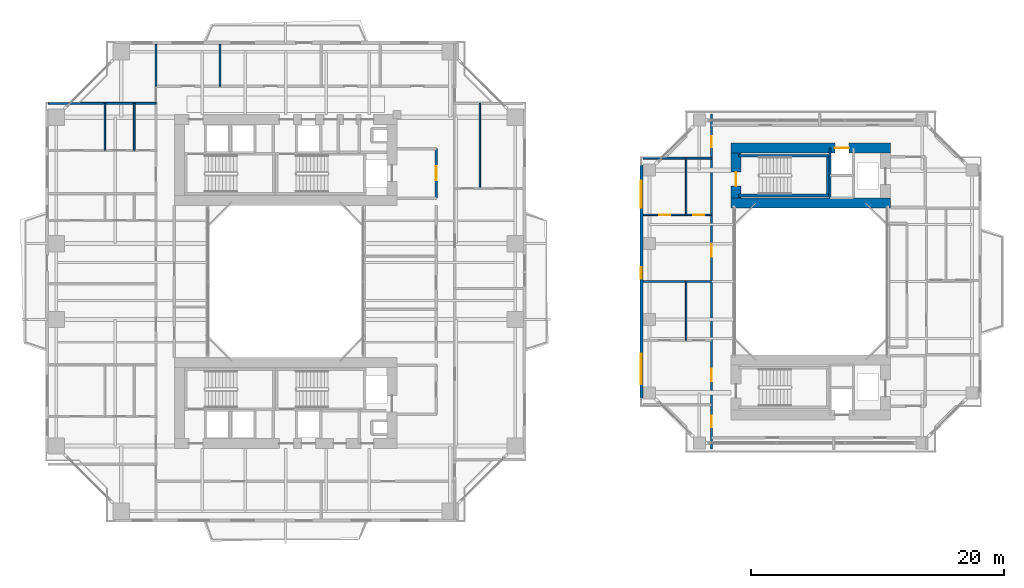
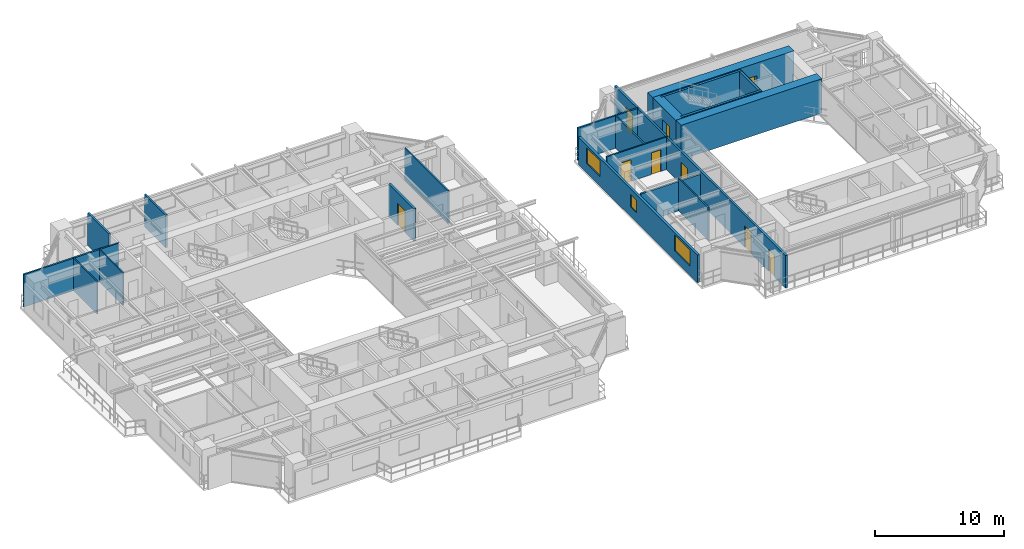
# One storey, part 16 of 23: 21 walls, 9 doors, 3 windows, 12 openings.
"""IFC4 building model written with IfcOpenShell, lengths in metres."""

import ifcopenshell
import ifcopenshell.guid

model = None  # the IFC model being written
_history = None  # IfcOwnerHistory: only IFC2X3 demands one
_inside = {}  # id of a spatial element -> (the spatial element, [elements in it])
_under = {}  # id of a project, library or spatial element -> (it, [spatial elements below it])
_declared = {}  # id of a project -> (the project, [libraries it declares])
_typed = {}  # id of a type object -> (the type object, [elements of that type])
_made_of = {}  # id of a material, layer set ... -> (it, [elements and type objects made of it])


def new_model(schema):
    """Start an empty IFC model of exactly this schema.

    Asked for "IFC4X3", IfcOpenShell would pick the latest addendum, in which some entities
    have other attributes; the version numbers below select the first issue.
    IFC2X3 requires an IfcOwnerHistory on every rooted entity: one is made here for all.
    """
    global model, _history
    if schema == "IFC4X3":
        model = ifcopenshell.file(schema_version=(4, 3, 0, 0))
    else:
        model = ifcopenshell.file(schema=schema)
    _inside.clear()
    _under.clear()
    _declared.clear()
    _typed.clear()
    _made_of.clear()
    _history = None
    if model.schema == "IFC2X3":
        org = make("IfcOrganization", Name="unknown")
        user = make(
            "IfcPersonAndOrganization",
            ThePerson=make("IfcPerson", FamilyName="unknown"),
            TheOrganization=org,
        )
        app = make(
            "IfcApplication",
            ApplicationDeveloper=org,
            Version="unknown",
            ApplicationFullName="unknown",
            ApplicationIdentifier="unknown",
        )
        _history = make(
            "IfcOwnerHistory",
            OwningUser=user,
            OwningApplication=app,
            ChangeAction="ADDED",
            CreationDate=0,
        )
    return model


def make(cls, **values):
    """One entity of the class cls with the attributes given. An attribute that is None is left unset."""
    return model.create_entity(
        cls, **{name: value for name, value in values.items() if value is not None}
    )


def rooted(cls, **values):
    """An entity with a GlobalId (a new one), such as an element, a storey or a relation."""
    return make(cls, GlobalId=ifcopenshell.guid.new(), OwnerHistory=_history, **values)


def si_unit(unit_type, name, prefix=None):
    """IfcSIUnit, for example si_unit("LENGTHUNIT", "METRE", prefix="MILLI")."""
    return make("IfcSIUnit", UnitType=unit_type, Prefix=prefix, Name=name)


def assignment(units):
    """IfcUnitAssignment: the units of a project."""
    return None if units is None else make("IfcUnitAssignment", Units=units)


def point(xyz):
    """IfcCartesianPoint."""
    return None if xyz is None else make("IfcCartesianPoint", Coordinates=xyz)


def direction(xyz):
    """IfcDirection."""
    return None if xyz is None else make("IfcDirection", DirectionRatios=xyz)


def frame(location, z_axis=None, x_axis=None):
    """IfcAxis2Placement3D, a coordinate frame: its origin and axes. An axis left out is left unset."""
    return make(
        "IfcAxis2Placement3D",
        Location=point(location),
        Axis=direction(z_axis),
        RefDirection=direction(x_axis),
    )


def frame_2d(location, x_axis=None):
    """IfcAxis2Placement2D, a coordinate frame in the plane: its origin and x axis."""
    return make(
        "IfcAxis2Placement2D", Location=point(location), RefDirection=direction(x_axis)
    )


def origin():
    """The frame at (0, 0, 0) with its axes left unset."""
    return frame((0.0, 0.0, 0.0))


def place(relative_to, where):
    """IfcLocalPlacement: puts the frame where relative to a parent placement (None: the world)."""
    return make(
        "IfcLocalPlacement", PlacementRelTo=relative_to, RelativePlacement=where
    )


def context(
    kind, dimensions, precision=None, world=None, true_north=None, identifier=None
):
    """IfcGeometricRepresentationContext, for example the 3D "Model" context."""
    return make(
        "IfcGeometricRepresentationContext",
        ContextIdentifier=identifier,
        ContextType=kind,
        CoordinateSpaceDimension=dimensions,
        Precision=precision,
        WorldCoordinateSystem=world,
        TrueNorth=true_north,
    )


def subcontext(parent, identifier, kind, view, scale=None):
    """IfcGeometricRepresentationSubContext, for example "Body" below "Model"."""
    return make(
        "IfcGeometricRepresentationSubContext",
        ContextIdentifier=identifier,
        ContextType=kind,
        ParentContext=parent,
        TargetScale=scale,
        TargetView=view,
    )


def project(units=None, contexts=None):
    """IfcProject with its units and contexts."""
    return rooted(
        "IfcProject",
        Name="project",
        RepresentationContexts=contexts,
        UnitsInContext=assignment(units),
    )


def spatial(cls, under=None, at=None, **own):
    """A site, building, storey or space (cls), placed at a placement, below another one or the project."""
    s = rooted(cls, ObjectPlacement=at, **own)
    if under is not None:
        _under.setdefault(under.id(), (under, []))[1].append(s)
    return s


def profile(cls, at=None, kind="AREA", **sizes):
    """A parametric profile (cls). Its sizes go by their IFC names, for example OverallWidth=200.0."""
    return make(cls, ProfileType=kind, Position=at, **sizes)


def rectangle(**sizes):
    """IfcRectangleProfileDef."""
    return profile("IfcRectangleProfileDef", **sizes)


def extrude(swept, where, along, depth):
    """IfcExtrudedAreaSolid: the profile swept, set in the frame where, extruded along a direction by depth."""
    return make(
        "IfcExtrudedAreaSolid",
        SweptArea=swept,
        Position=where,
        ExtrudedDirection=direction(along),
        Depth=depth,
    )


def shape(context_of_items, identifier, shape_type, items):
    """IfcShapeRepresentation: the items that make up one representation, for example the "Body"."""
    return make(
        "IfcShapeRepresentation",
        ContextOfItems=context_of_items,
        RepresentationIdentifier=identifier,
        RepresentationType=shape_type,
        Items=items,
    )


def source(mapping_origin, context_of_items, identifier, shape_type, items):
    """IfcRepresentationMap: a shape defined once, which mapped items show again and again."""
    return make(
        "IfcRepresentationMap",
        MappingOrigin=mapping_origin,
        MappedRepresentation=shape(context_of_items, identifier, shape_type, items),
    )


def transform(
    local_origin,
    x_axis=None,
    y_axis=None,
    z_axis=None,
    scale=None,
    scale2=None,
    scale3=None,
    uniform=True,
):
    """IfcCartesianTransformationOperator3D, or its non-uniform kind. x_axis, y_axis, z_axis: its Axis1, 2, 3."""
    if uniform:
        return make(
            "IfcCartesianTransformationOperator3D",
            Axis1=direction(x_axis),
            Axis2=direction(y_axis),
            LocalOrigin=point(local_origin),
            Scale=scale,
            Axis3=direction(z_axis),
        )
    return make(
        "IfcCartesianTransformationOperator3DnonUniform",
        Axis1=direction(x_axis),
        Axis2=direction(y_axis),
        LocalOrigin=point(local_origin),
        Scale=scale,
        Axis3=direction(z_axis),
        Scale2=scale2,
        Scale3=scale3,
    )


def mapped(mapping_source, mapping_target):
    """IfcMappedItem: shows the shape of a source again, moved by a transform."""
    return make(
        "IfcMappedItem", MappingSource=mapping_source, MappingTarget=mapping_target
    )


def material(Name=None, Category=None):
    """IfcMaterial."""
    return make("IfcMaterial", Name=Name, Category=Category)


def layer(
    of_material, thickness, ventilated=None, Name=None, Category=None, Priority=None
):
    """IfcMaterialLayer: one layer of a wall or slab, of a material (None: an air gap)."""
    return make(
        "IfcMaterialLayer",
        Material=of_material,
        LayerThickness=thickness,
        IsVentilated=ventilated,
        Name=Name,
        Category=Category,
        Priority=Priority,
    )


def layer_set(layers, Name=None):
    """IfcMaterialLayerSet."""
    return make("IfcMaterialLayerSet", MaterialLayers=layers, LayerSetName=Name)


def made_of(thing, what):
    """Note that an element or type object is made of a material, layer set ...; save() writes the relation."""
    if what is not None:
        _made_of.setdefault(what.id(), (what, []))[1].append(thing)
    return thing


def type_object(cls, material=None, **own):
    """A type object (cls), such as IfcWallType, which elements share."""
    return made_of(rooted(cls, **own), material)


def element(
    cls,
    number,
    at=None,
    inside=None,
    cuts=None,
    type_object=None,
    material=None,
    context=None,
    identifier="Body",
    shape_type=None,
    held_by="IfcProductDefinitionShape",
    body=None,
    shapes=None,
    **own,
):
    """One element of the class cls, such as IfcWall. Its Tag is "e" and its number.

    at: its placement. inside: the storey or other place that contains it. cuts: it is an
    opening in that element (IfcRelVoidsElement). A single representation is given by context,
    identifier, shape_type and body (its items); several are given by shapes. held_by: the class
    of the entity that holds the representations. save() writes the other relations.
    """
    e = rooted(cls, Tag="e%d" % number, ObjectPlacement=at, **own)
    if body is not None:
        shapes = [shape(context, identifier, shape_type, body)]
    if shapes is not None:
        e.Representation = make(held_by, Representations=shapes)
    if inside is not None:
        _inside.setdefault(inside.id(), (inside, []))[1].append(e)
    if cuts is not None:
        rooted(
            "IfcRelVoidsElement", RelatingBuildingElement=cuts, RelatedOpeningElement=e
        )
    if type_object is not None:
        _typed.setdefault(type_object.id(), (type_object, []))[1].append(e)
    return made_of(e, material)


def fill(opening, filler):
    """IfcRelFillsElement: the door or window that sits in an opening."""
    return rooted(
        "IfcRelFillsElement",
        RelatingOpeningElement=opening,
        RelatedBuildingElement=filler,
    )


def aggregate(whole, parts):
    """IfcRelAggregates: a whole, such as a stair, and the parts it consists of."""
    return rooted("IfcRelAggregates", RelatingObject=whole, RelatedObjects=parts)


def save(model, path):
    """Write the relations noted so far, then the file.

    IfcRelAggregates (storeys below a building ...), IfcRelContainedInSpatialStructure (elements
    in a storey), IfcRelDefinesByType, IfcRelAssociatesMaterial and IfcRelDeclares: one each for
    every whole, place, type object, material and project.
    """
    for whole, parts in _under.values():
        aggregate(whole, parts)
    for where, things in _inside.values():
        rooted(
            "IfcRelContainedInSpatialStructure",
            RelatedElements=things,
            RelatingStructure=where,
        )
    for kind, things in _typed.values():
        rooted("IfcRelDefinesByType", RelatedObjects=things, RelatingType=kind)
    for what, things in _made_of.values():
        rooted("IfcRelAssociatesMaterial", RelatedObjects=things, RelatingMaterial=what)
    for by, libraries in _declared.values():
        rooted("IfcRelDeclares", RelatingContext=by, RelatedDefinitions=libraries)
    model.write(path)


model = new_model("IFC4")

# Units and contexts
model_context = context("Model", 3, precision=1e-05, world=origin(), true_north=direction((0.0, 1.0)))
body_context = subcontext(model_context, "Body", "Model", "MODEL_VIEW")
ifc_project = project(units=[si_unit("LENGTHUNIT", "METRE"), si_unit("AREAUNIT", "SQUARE_METRE"), si_unit("VOLUMEUNIT", "CUBIC_METRE"), si_unit("PLANEANGLEUNIT", "RADIAN"), si_unit("MASSUNIT", "GRAM", prefix="KILO"), si_unit("THERMODYNAMICTEMPERATUREUNIT", "KELVIN"), si_unit("POWERUNIT", "WATT")], contexts=[model_context])

# Site, building, storey
site_placement = place(None, origin())
site = spatial("IfcSite", under=ifc_project, at=site_placement, CompositionType="ELEMENT")
building_placement = place(site_placement, origin())
building = spatial("IfcBuilding", under=site, at=building_placement, Name="Qiaomeng Ring Towers", CompositionType="ELEMENT")
storey_placement = place(building_placement, frame((0.0, 0.0, 60.0)))
storey = spatial("IfcBuildingStorey", under=building, at=storey_placement, Name="L16", CompositionType="ELEMENT", Elevation=60.0)

# Wall, openings, windows
ifc_material_1 = material(Name="Precast concrete C40", Category="concrete")
ifc_layer_1 = layer(ifc_material_1, 0.219970703125, Name="Precast concrete C40")
ifc_layer_set_1 = layer_set([ifc_layer_1], Name="Precast concrete C40")
wall_type_1 = type_object("IfcWallType", Name="ARC-WL-EW2", PredefinedType="STANDARD", material=ifc_layer_set_1)
wall_1_placement = place(storey_placement, frame((47.110107421875, 13.800048828125, 0.0), z_axis=(0.0, 0.0, 1.0), x_axis=(0.0, 1.0, 0.0)))
wall_1 = element("IfcWall", 1, at=wall_1_placement, inside=storey, type_object=wall_type_1, Name="L16 Companion West Wall", PredefinedType="STANDARD", context=body_context, shape_type="SweptSolid", body=[
    extrude(rectangle(XDim=18.39990234375, YDim=0.219970703125, at=frame_2d((9.199951171875, 0.0))), origin(), (0.0, 0.0, 1.0), 2.610107421875),
])
opening_1_placement = place(wall_1_placement, frame((1.10009765625, 0.0, 0.89990234375)))
opening_1 = element("IfcOpeningElement", 2, at=opening_1_placement, cuts=wall_1, Name="Opening WN6", PredefinedType="OPENING", context=body_context, shape_type="SweptSolid", body=[
    extrude(rectangle(XDim=2.39990234375, YDim=1.47998046875, at=frame_2d((1.199951171875, 0.739990234375))), frame((0.0, 0.119873046875, 0.0), z_axis=(0.0, -1.0, 0.0), x_axis=(1.0, 0.0, 0.0)), (0.0, 0.0, 1.0), 0.239990234375),
])
opening_2_placement = place(wall_1_placement, frame((15.050048828125, 0.0, 0.89990234375)))
opening_2 = element("IfcOpeningElement", 3, at=opening_2_placement, cuts=wall_1, Name="Opening WN4", PredefinedType="OPENING", context=body_context, shape_type="SweptSolid", body=[
    extrude(rectangle(XDim=2.10009765625, YDim=1.47998046875, at=frame_2d((1.050048828125, 0.739990234375))), frame((0.0, 0.119873046875, 0.0), z_axis=(0.0, -1.0, 0.0), x_axis=(1.0, 0.0, 0.0)), (0.0, 0.0, 1.0), 0.239990234375),
])
opening_3_placement = place(wall_1_placement, frame((9.43505859375, 0.0, 0.89990234375)))
opening_3 = element("IfcOpeningElement", 4, at=opening_3_placement, cuts=wall_1, Name="Opening WN5", PredefinedType="OPENING", context=body_context, shape_type="SweptSolid", body=[
    extrude(rectangle(XDim=0.89990234375, YDim=1.199951171875, at=frame_2d((0.449951171875, 0.60009765625))), frame((0.0, 0.119873046875, 0.0), z_axis=(0.0, -1.0, 0.0), x_axis=(1.0, 0.0, 0.0)), (0.0, 0.0, 1.0), 0.239990234375),
])
ifc_material_2 = material(Name="Low-E dark-grey laminated double glazing", Category="glass")
window_type_1 = type_object("IfcWindowType", Name="ARC-WN-4", PartitioningType="TRIPLE_PANEL_VERTICAL", PredefinedType="WINDOW", material=ifc_material_2)
shared_shape_1 = source(origin(), body_context, "Body", "SweptSolid", [
    extrude(rectangle(XDim=2.10009765625, YDim=1.47998046875, at=frame_2d((1.050048828125, 0.739990234375))), frame((0.0, 0.030029296875, 0.0), z_axis=(0.0, -1.0, 0.0), x_axis=(1.0, 0.0, 0.0)), (0.0, 0.0, 1.0), 0.06005859375),
])
window_1_placement = place(opening_2_placement, origin())
window_1 = element("IfcWindow", 5, at=window_1_placement, inside=storey, type_object=window_type_1, Name="L16 Exterior Window WN4", OverallHeight=1.47998046875, OverallWidth=2.10009765625, PartitioningType="TRIPLE_PANEL_VERTICAL", PredefinedType="WINDOW", context=body_context, shape_type="MappedRepresentation", body=[
    mapped(shared_shape_1, transform((0.0, 0.0, 0.0), x_axis=(1.0, 0.0, 0.0), y_axis=(0.0, 1.0, 0.0), z_axis=(0.0, 0.0, 1.0), scale=1.0)),
])
fill(opening_2, window_1)
window_type_2 = type_object("IfcWindowType", Name="ARC-WN-6", PartitioningType="TRIPLE_PANEL_VERTICAL", PredefinedType="WINDOW", material=ifc_material_2)
shared_shape_2 = source(origin(), body_context, "Body", "SweptSolid", [
    extrude(rectangle(XDim=2.39990234375, YDim=1.47998046875, at=frame_2d((1.199951171875, 0.739990234375))), frame((0.0, 0.030029296875, 0.0), z_axis=(0.0, -1.0, 0.0), x_axis=(1.0, 0.0, 0.0)), (0.0, 0.0, 1.0), 0.06005859375),
])
window_2_placement = place(opening_1_placement, origin())
window_2 = element("IfcWindow", 6, at=window_2_placement, inside=storey, type_object=window_type_2, Name="L16 Exterior Window WN6", OverallHeight=1.47998046875, OverallWidth=2.39990234375, PartitioningType="TRIPLE_PANEL_VERTICAL", PredefinedType="WINDOW", context=body_context, shape_type="MappedRepresentation", body=[
    mapped(shared_shape_2, transform((0.0, 0.0, 0.0), x_axis=(1.0, 0.0, 0.0), y_axis=(0.0, 1.0, 0.0), z_axis=(0.0, 0.0, 1.0), scale=1.0)),
])
fill(opening_1, window_2)
window_type_3 = type_object("IfcWindowType", Name="ARC-WN-5", PartitioningType="SINGLE_PANEL", PredefinedType="WINDOW", material=ifc_material_2)
shared_shape_3 = source(origin(), body_context, "Body", "SweptSolid", [
    extrude(rectangle(XDim=0.89990234375, YDim=1.199951171875, at=frame_2d((0.449951171875, 0.60009765625))), frame((0.0, 0.030029296875, 0.0), z_axis=(0.0, -1.0, 0.0), x_axis=(1.0, 0.0, 0.0)), (0.0, 0.0, 1.0), 0.06005859375),
])
window_3_placement = place(opening_3_placement, origin())
window_3 = element("IfcWindow", 7, at=window_3_placement, inside=storey, type_object=window_type_3, Name="L16 Exterior Window WN5", OverallHeight=1.199951171875, OverallWidth=0.89990234375, PartitioningType="SINGLE_PANEL", PredefinedType="WINDOW", context=body_context, shape_type="MappedRepresentation", body=[
    mapped(shared_shape_3, transform((0.0, 0.0, 0.0), x_axis=(1.0, 0.0, 0.0), y_axis=(0.0, 1.0, 0.0), z_axis=(0.0, 0.0, 1.0), scale=1.0)),
])
fill(opening_3, window_3)

# Wall, opening, door
ifc_material_3 = material(Name="Autoclaved aerated concrete block", Category="concrete")
ifc_layer_2 = layer(ifc_material_3, 0.199951171875, Name="Autoclaved aerated concrete block")
ifc_layer_set_2 = layer_set([ifc_layer_2], Name="Autoclaved aerated concrete block")
wall_type_2 = type_object("IfcWallType", Name="ARC-WL-PW1", PredefinedType="PARTITIONING", material=ifc_layer_set_2)
wall_2_placement = place(storey_placement, frame((30.89990234375, 29.60009765625, 0.0), z_axis=(0.0, 0.0, 1.0), x_axis=(0.0, 1.0, 0.0)))
wall_2 = element("IfcWall", 8, at=wall_2_placement, inside=storey, type_object=wall_type_2, Name="L16 Interior Wall PW1", PredefinedType="PARTITIONING", context=body_context, shape_type="SweptSolid", body=[
    extrude(rectangle(XDim=3.89990234375, YDim=0.199951171875, at=frame_2d((1.949951171875, 0.0))), origin(), (0.0, 0.0, 1.0), 3.070068359375),
])
opening_4_placement = place(wall_2_placement, frame((1.39990234375, 0.0, 0.0)))
opening_4 = element("IfcOpeningElement", 9, at=opening_4_placement, cuts=wall_2, Name="Opening FD3", PredefinedType="OPENING", context=body_context, shape_type="SweptSolid", body=[
    extrude(rectangle(XDim=1.10009765625, YDim=2.050048828125, at=frame_2d((0.550048828125, 1.02490234375))), frame((0.0, 0.10986328125, 0.0), z_axis=(0.0, -1.0, 0.0), x_axis=(1.0, 0.0, 0.0)), (0.0, 0.0, 1.0), 0.219970703125),
])
ifc_material_4 = material(Name="Galvanised steel", Category="steel")
door_type_1 = type_object("IfcDoorType", Name="ARC-DR-FD3", OperationType="NOTDEFINED", PredefinedType="DOOR", material=ifc_material_4)
shared_shape_4 = source(origin(), body_context, "Body", "SweptSolid", [
    extrude(rectangle(XDim=1.10009765625, YDim=2.050048828125, at=frame_2d((0.550048828125, 1.02490234375))), frame((0.0, 0.02490234375, 0.0), z_axis=(0.0, -1.0, 0.0), x_axis=(1.0, 0.0, 0.0)), (0.0, 0.0, 1.0), 0.050048828125),
])
door_1_placement = place(opening_4_placement, origin())
door_1 = element("IfcDoor", 10, at=door_1_placement, inside=storey, type_object=door_type_1, Name="L16 North FF Lobby Door", OperationType="SINGLE_SWING_RIGHT", OverallHeight=2.050048828125, OverallWidth=1.10009765625, PredefinedType="DOOR", context=body_context, shape_type="MappedRepresentation", body=[
    mapped(shared_shape_4, transform((0.0, 0.0, 0.0), x_axis=(1.0, 0.0, 0.0), y_axis=(0.0, 1.0, 0.0), z_axis=(0.0, 0.0, 1.0), scale=1.0)),
])
fill(opening_4, door_1)

# Wall, openings, doors
ifc_layer_3 = layer(ifc_material_3, 0.179931640625, Name="Autoclaved aerated concrete block")
ifc_layer_set_3 = layer_set([ifc_layer_3], Name="Autoclaved aerated concrete block")
wall_type_3 = type_object("IfcWallType", Name="ARC-WL-PW2", PredefinedType="PARTITIONING", material=ifc_layer_set_3)
wall_3_placement = place(storey_placement, frame((52.64990234375, 9.75, 0.0), z_axis=(0.0, 0.0, 1.0), x_axis=(0.0, 1.0, 0.0)))
wall_3 = element("IfcWall", 11, at=wall_3_placement, inside=storey, type_object=wall_type_3, Name="L16 Interior Wall PW2", PredefinedType="PARTITIONING", context=body_context, shape_type="SweptSolid", body=[
    extrude(rectangle(XDim=26.5, YDim=0.179931640625, at=frame_2d((13.25, 0.0))), origin(), (0.0, 0.0, 1.0), 3.070068359375),
])
opening_5_placement = place(wall_3_placement, frame((23.85009765625, 0.0, 0.0)))
opening_5 = element("IfcOpeningElement", 12, at=opening_5_placement, cuts=wall_3, Name="Opening ID1", PredefinedType="OPENING", context=body_context, shape_type="SweptSolid", body=[
    extrude(rectangle(XDim=0.89990234375, YDim=2.050048828125, at=frame_2d((0.449951171875, 1.02490234375))), frame((0.0, 0.099853515625, 0.0), z_axis=(0.0, -1.0, 0.0), x_axis=(1.0, 0.0, 0.0)), (0.0, 0.0, 1.0), 0.199951171875),
])
opening_6_placement = place(wall_3_placement, frame((1.75, 0.0, 0.0)))
opening_6 = element("IfcOpeningElement", 13, at=opening_6_placement, cuts=wall_3, Name="Opening ID1", PredefinedType="OPENING", context=body_context, shape_type="SweptSolid", body=[
    extrude(rectangle(XDim=0.89990234375, YDim=2.050048828125, at=frame_2d((0.449951171875, 1.02490234375))), frame((0.0, 0.099853515625, 0.0), z_axis=(0.0, -1.0, 0.0), x_axis=(1.0, 0.0, 0.0)), (0.0, 0.0, 1.0), 0.199951171875),
])
opening_7_placement = place(wall_3_placement, frame((5.35498046875, 0.0, 0.0)))
opening_7 = element("IfcOpeningElement", 14, at=opening_7_placement, cuts=wall_3, Name="Opening FD4", PredefinedType="OPENING", context=body_context, shape_type="SweptSolid", body=[
    extrude(rectangle(XDim=1.0, YDim=2.050048828125, at=frame_2d((0.5, 1.02490234375))), frame((0.0, 0.099853515625, 0.0), z_axis=(0.0, -1.0, 0.0), x_axis=(1.0, 0.0, 0.0)), (0.0, 0.0, 1.0), 0.199951171875),
])
opening_8_placement = place(wall_3_placement, frame((15.195068359375, 0.0, 0.0)))
opening_8 = element("IfcOpeningElement", 15, at=opening_8_placement, cuts=wall_3, Name="Opening FD4", PredefinedType="OPENING", context=body_context, shape_type="SweptSolid", body=[
    extrude(rectangle(XDim=1.0, YDim=2.050048828125, at=frame_2d((0.5, 1.02490234375))), frame((0.0, 0.099853515625, 0.0), z_axis=(0.0, -1.0, 0.0), x_axis=(1.0, 0.0, 0.0)), (0.0, 0.0, 1.0), 0.199951171875),
])
ifc_material_5 = material(Name="Engineered fire-rated oak timber", Category="wood")
door_type_2 = type_object("IfcDoorType", Name="ARC-DR-FD4", OperationType="NOTDEFINED", PredefinedType="DOOR", material=ifc_material_5)
shared_shape_5 = source(origin(), body_context, "Body", "SweptSolid", [
    extrude(rectangle(XDim=1.0, YDim=2.050048828125, at=frame_2d((0.5, 1.02490234375))), frame((0.0, 0.02490234375, 0.0), z_axis=(0.0, -1.0, 0.0), x_axis=(1.0, 0.0, 0.0)), (0.0, 0.0, 1.0), 0.050048828125),
])
door_2_placement = place(opening_7_placement, origin())
door_2 = element("IfcDoor", 16, at=door_2_placement, inside=storey, type_object=door_type_2, Name="L16 Door FD4", OperationType="SINGLE_SWING_LEFT", OverallHeight=2.050048828125, OverallWidth=1.0, PredefinedType="DOOR", context=body_context, shape_type="MappedRepresentation", body=[
    mapped(shared_shape_5, transform((0.0, 0.0, 0.0), x_axis=(1.0, 0.0, 0.0), y_axis=(0.0, 1.0, 0.0), z_axis=(0.0, 0.0, 1.0), scale=1.0)),
])
fill(opening_7, door_2)
door_3_placement = place(opening_8_placement, origin())
door_3 = element("IfcDoor", 17, at=door_3_placement, inside=storey, type_object=door_type_2, Name="L16 Door FD4", OperationType="SINGLE_SWING_RIGHT", OverallHeight=2.050048828125, OverallWidth=1.0, PredefinedType="DOOR", context=body_context, shape_type="MappedRepresentation", body=[
    mapped(shared_shape_5, transform((0.0, 0.0, 0.0), x_axis=(1.0, 0.0, 0.0), y_axis=(0.0, 1.0, 0.0), z_axis=(0.0, 0.0, 1.0), scale=1.0)),
])
fill(opening_8, door_3)
ifc_material_6 = material(Name="Engineered oak timber", Category="wood")
door_type_3 = type_object("IfcDoorType", Name="ARC-DR-ID1", OperationType="NOTDEFINED", PredefinedType="DOOR", material=ifc_material_6)
shared_shape_6 = source(origin(), body_context, "Body", "SweptSolid", [
    extrude(rectangle(XDim=0.89990234375, YDim=2.050048828125, at=frame_2d((0.449951171875, 1.02490234375))), frame((0.0, 0.02490234375, 0.0), z_axis=(0.0, -1.0, 0.0), x_axis=(1.0, 0.0, 0.0)), (0.0, 0.0, 1.0), 0.050048828125),
])
door_4_placement = place(opening_5_placement, origin())
door_4 = element("IfcDoor", 18, at=door_4_placement, inside=storey, type_object=door_type_3, Name="L16 Door ID1", OperationType="SINGLE_SWING_LEFT", OverallHeight=2.050048828125, OverallWidth=0.89990234375, PredefinedType="DOOR", context=body_context, shape_type="MappedRepresentation", body=[
    mapped(shared_shape_6, transform((0.0, 0.0, 0.0), x_axis=(1.0, 0.0, 0.0), y_axis=(0.0, 1.0, 0.0), z_axis=(0.0, 0.0, 1.0), scale=1.0)),
])
fill(opening_5, door_4)
door_5_placement = place(opening_6_placement, origin())
door_5 = element("IfcDoor", 19, at=door_5_placement, inside=storey, type_object=door_type_3, Name="L16 Door ID1", OperationType="SINGLE_SWING_RIGHT", OverallHeight=2.050048828125, OverallWidth=0.89990234375, PredefinedType="DOOR", context=body_context, shape_type="MappedRepresentation", body=[
    mapped(shared_shape_6, transform((0.0, 0.0, 0.0), x_axis=(1.0, 0.0, 0.0), y_axis=(0.0, 1.0, 0.0), z_axis=(0.0, 0.0, 1.0), scale=1.0)),
])
fill(opening_6, door_5)

# Walls
ifc_material_7 = material(Name="Gypsum fireboard steel-stud partition", Category="steel")
ifc_layer_4 = layer(ifc_material_7, 0.14990234375, Name="Gypsum fireboard steel-stud partition")
ifc_layer_set_4 = layer_set([ifc_layer_4], Name="Gypsum fireboard steel-stud partition")
wall_type_4 = type_object("IfcWallType", Name="ARC-WL-PW3", PredefinedType="PARTITIONING", material=ifc_layer_set_4)
for number, where, z_axis, x_axis, name in (
    (20, (13.81005859375, 38.43994140625, 0.0), (0.0, 0.0, 1.0), (0.0, 1.0, 0.0), "L16 Interior Wall PW3"),
    (21, (8.75, 38.43994140625, 0.0), (0.0, 0.0, 1.0), (0.0, 1.0, 0.0), "L16 Interior Wall PW3"),
):
    element("IfcWall", number, at=place(storey_placement, frame(where, z_axis=z_axis, x_axis=x_axis)), inside=storey, type_object=wall_type_4, Name=name, PredefinedType="PARTITIONING", context=body_context, shape_type="SweptSolid", body=[
        extrude(rectangle(XDim=3.31005859375, YDim=0.14990234375, at=frame_2d((1.655029296875, 0.0))), origin(), (0.0, 0.0, 1.0), 3.070068359375),
    ])
wall_4_placement = place(storey_placement, frame((0.25, 37.080078125, 0.0), z_axis=(0.0, 0.0, 1.0), x_axis=(1.0, 0.0, 0.0)))
element("IfcWall", 22, at=wall_4_placement, inside=storey, type_object=wall_type_4, Name="L16 Interior Wall PW3", PredefinedType="PARTITIONING", context=body_context, shape_type="SweptSolid", body=[
    extrude(rectangle(XDim=8.5, YDim=0.14990234375, at=frame_2d((4.25, 0.0))), origin(), (0.0, 0.0, 1.0), 3.070068359375),
])
wall_5_placement = place(storey_placement, frame((47.25, 32.75, 0.0), z_axis=(0.0, 0.0, 1.0), x_axis=(1.0, 0.0, 0.0)))
element("IfcWall", 23, at=wall_5_placement, inside=storey, type_object=wall_type_4, Name="L16 Interior Wall PW3", PredefinedType="PARTITIONING", context=body_context, shape_type="SweptSolid", body=[
    extrude(rectangle(XDim=5.39990234375, YDim=0.14990234375, at=frame_2d((2.699951171875, 0.0))), origin(), (0.0, 0.0, 1.0), 3.070068359375),
])
wall_6_placement = place(storey_placement, frame((47.25, 23.0, 0.0), z_axis=(0.0, 0.0, 1.0), x_axis=(1.0, 0.0, 0.0)))
element("IfcWall", 24, at=wall_6_placement, inside=storey, type_object=wall_type_4, Name="L16 Interior Wall PW3", PredefinedType="PARTITIONING", context=body_context, shape_type="SweptSolid", body=[
    extrude(rectangle(XDim=5.39990234375, YDim=0.14990234375, at=frame_2d((2.699951171875, 0.0))), origin(), (0.0, 0.0, 1.0), 2.764892578125),
])
ifc_material_8 = material(Name="Moisture-resistant gypsum steel-stud partition", Category="steel")
ifc_layer_5 = layer(ifc_material_8, 0.1201171875, Name="Moisture-resistant gypsum steel-stud partition")
ifc_layer_set_5 = layer_set([ifc_layer_5], Name="Moisture-resistant gypsum steel-stud partition")
wall_type_5 = type_object("IfcWallType", Name="ARC-WL-PW4", PredefinedType="PLUMBINGWALL", material=ifc_layer_set_5)
for number, where, z_axis, x_axis, name in (
    (25, (4.7099609375, 33.3701171875, 0.0), (0.0, 0.0, 1.0), (0.0, 1.0, 0.0), "L16 Interior Wall PW4"),
    (26, (7.030029296875, 33.3701171875, 0.0), (0.0, 0.0, 1.0), (0.0, 1.0, 0.0), "L16 Interior Wall PW4"),
):
    element("IfcWall", number, at=place(storey_placement, frame(where, z_axis=z_axis, x_axis=x_axis)), inside=storey, type_object=wall_type_5, Name=name, PredefinedType="PLUMBINGWALL", context=body_context, shape_type="SweptSolid", body=[
        extrude(rectangle(XDim=3.7099609375, YDim=0.1201171875, at=frame_2d((1.85498046875, 0.0))), origin(), (0.0, 0.0, 1.0), 3.070068359375),
    ])
wall_7_placement = place(storey_placement, frame((34.35009765625, 30.35009765625, 0.0), z_axis=(0.0, 0.0, 1.0), x_axis=(0.0, 1.0, 0.0)))
element("IfcWall", 27, at=wall_7_placement, inside=storey, type_object=wall_type_5, Name="L16 Interior Wall PW4", PredefinedType="PLUMBINGWALL", context=body_context, shape_type="SweptSolid", body=[
    extrude(rectangle(XDim=6.72998046875, YDim=0.1201171875, at=frame_2d((3.364990234375, 0.0))), origin(), (0.0, 0.0, 1.0), 3.070068359375),
])
wall_8_placement = place(storey_placement, frame((50.64990234375, 18.340087890625, 0.0), z_axis=(0.0, 0.0, 1.0), x_axis=(0.0, 1.0, 0.0)))
element("IfcWall", 28, at=wall_8_placement, inside=storey, type_object=wall_type_5, Name="L16 Interior Wall PW4", PredefinedType="PLUMBINGWALL", context=body_context, shape_type="SweptSolid", body=[
    extrude(rectangle(XDim=4.659912109375, YDim=0.1201171875, at=frame_2d((2.330078125, 0.0))), origin(), (0.0, 0.0, 1.0), 3.070068359375),
])

# Wall, openings, doors
wall_9_placement = place(storey_placement, frame((47.25, 28.27001953125, 0.0), z_axis=(0.0, 0.0, 1.0), x_axis=(1.0, 0.0, 0.0)))
wall_9 = element("IfcWall", 29, at=wall_9_placement, inside=storey, type_object=wall_type_5, Name="L16 Interior Wall PW4", PredefinedType="PLUMBINGWALL", context=body_context, shape_type="SweptSolid", body=[
    extrude(rectangle(XDim=5.39990234375, YDim=0.1201171875, at=frame_2d((2.699951171875, 0.0))), origin(), (0.0, 0.0, 1.0), 3.070068359375),
])
opening_9_placement = place(wall_9_placement, frame((1.260009765625, 0.0, 0.0)))
opening_9 = element("IfcOpeningElement", 30, at=opening_9_placement, cuts=wall_9, Name="Opening ID1", PredefinedType="OPENING", context=body_context, shape_type="SweptSolid", body=[
    extrude(rectangle(XDim=0.89990234375, YDim=2.050048828125, at=frame_2d((0.449951171875, 1.02490234375))), frame((0.0, 0.070068359375, 0.0), z_axis=(0.0, -1.0, 0.0), x_axis=(1.0, 0.0, 0.0)), (0.0, 0.0, 1.0), 0.14013671875),
])
opening_10_placement = place(wall_9_placement, frame((3.965087890625, 0.0, 0.0)))
opening_10 = element("IfcOpeningElement", 31, at=opening_10_placement, cuts=wall_9, Name="Opening ID2", PredefinedType="OPENING", context=body_context, shape_type="SweptSolid", body=[
    extrude(rectangle(XDim=0.85009765625, YDim=2.050048828125, at=frame_2d((0.425048828125, 1.02490234375))), frame((0.0, 0.070068359375, 0.0), z_axis=(0.0, -1.0, 0.0), x_axis=(1.0, 0.0, 0.0)), (0.0, 0.0, 1.0), 0.14013671875),
])
ifc_material_9 = material(Name="Moisture-resistant engineered timber", Category="wood")
door_type_4 = type_object("IfcDoorType", Name="ARC-DR-ID2", OperationType="NOTDEFINED", PredefinedType="DOOR", material=ifc_material_9)
shared_shape_7 = source(origin(), body_context, "Body", "SweptSolid", [
    extrude(rectangle(XDim=0.85009765625, YDim=2.050048828125, at=frame_2d((0.425048828125, 1.02490234375))), frame((0.0, 0.02490234375, 0.0), z_axis=(0.0, -1.0, 0.0), x_axis=(1.0, 0.0, 0.0)), (0.0, 0.0, 1.0), 0.050048828125),
])
door_6_placement = place(opening_10_placement, origin())
door_6 = element("IfcDoor", 32, at=door_6_placement, inside=storey, type_object=door_type_4, Name="L16 Door ID2", OperationType="SINGLE_SWING_RIGHT", OverallHeight=2.050048828125, OverallWidth=0.85009765625, PredefinedType="DOOR", context=body_context, shape_type="MappedRepresentation", body=[
    mapped(shared_shape_7, transform((0.0, 0.0, 0.0), x_axis=(1.0, 0.0, 0.0), y_axis=(0.0, 1.0, 0.0), z_axis=(0.0, 0.0, 1.0), scale=1.0)),
])
fill(opening_10, door_6)
door_7_placement = place(opening_9_placement, origin())
door_7 = element("IfcDoor", 33, at=door_7_placement, inside=storey, type_object=door_type_3, Name="L16 Door ID1", OperationType="SINGLE_SWING_LEFT", OverallHeight=2.050048828125, OverallWidth=0.89990234375, PredefinedType="DOOR", context=body_context, shape_type="MappedRepresentation", body=[
    mapped(shared_shape_6, transform((0.0, 0.0, 0.0), x_axis=(1.0, 0.0, 0.0), y_axis=(0.0, 1.0, 0.0), z_axis=(0.0, 0.0, 1.0), scale=1.0)),
])
fill(opening_9, door_7)

# Walls
wall_10_placement = place(storey_placement, frame((50.64990234375, 28.27001953125, 0.0), z_axis=(0.0, 0.0, 1.0), x_axis=(0.0, 1.0, 0.0)))
element("IfcWall", 34, at=wall_10_placement, inside=storey, type_object=wall_type_5, Name="L16 Interior Wall PW4", PredefinedType="PLUMBINGWALL", context=body_context, shape_type="SweptSolid", body=[
    extrude(rectangle(XDim=4.47998046875, YDim=0.1201171875, at=frame_2d((2.239990234375, 0.0))), origin(), (0.0, 0.0, 1.0), 3.070068359375),
])
ifc_material_10 = material(Name="Concrete C40", Category="concrete")
ifc_layer_6 = layer(ifc_material_10, 0.199951171875, Name="Concrete C40")
ifc_layer_set_6 = layer_set([ifc_layer_6], Name="Concrete C40")
wall_type_6 = type_object("IfcWallType", Name="STR-WL-STSHAFT", PredefinedType="SHEAR", material=ifc_layer_set_6)
wall_11_placement = place(storey_placement, frame((62.02001953125, 29.60009765625, 0.0), z_axis=(0.0, 0.0, 1.0), x_axis=(0.0, 1.0, 0.0)))
element("IfcWall", 35, at=wall_11_placement, inside=storey, type_object=wall_type_6, Name="L16 Companion Lift Shaft West Wall N", PredefinedType="SHEAR", context=body_context, shape_type="SweptSolid", body=[
    extrude(rectangle(XDim=3.949951171875, YDim=0.179931640625, at=frame_2d((1.97509765625, 0.0))), origin(), (0.0, 0.0, 1.0), 3.070068359375),
])
for number, where, z_axis, x_axis, name in (
    (36, (54.800048828125, 29.800048828125, 0.0), (0.0, 0.0, 1.0), (1.0, 0.0, 0.0), "L16 Stair ST5 South Shaft Shear Wall"),
    (37, (54.800048828125, 32.93994140625, 0.0), (0.0, 0.0, 1.0), (1.0, 0.0, 0.0), "L16 Stair ST5 North Shaft Shear Wall"),
):
    element("IfcWall", number, at=place(storey_placement, frame(where, z_axis=z_axis, x_axis=x_axis)), inside=storey, type_object=wall_type_6, Name=name, PredefinedType="SHEAR", context=body_context, shape_type="SweptSolid", body=[
        extrude(rectangle(XDim=7.14990234375, YDim=0.199951171875, at=frame_2d((3.574951171875, 0.0))), origin(), (0.0, 0.0, 1.0), 3.25),
    ])
wall_12_placement = place(storey_placement, frame((61.85009765625, 29.89990234375, 0.0), z_axis=(0.0, 0.0, 1.0), x_axis=(0.0, 1.0, 0.0)))
element("IfcWall", 38, at=wall_12_placement, inside=storey, type_object=wall_type_6, Name="L16 Stair ST5 East Shaft Shear Wall", PredefinedType="SHEAR", context=body_context, shape_type="SweptSolid", body=[
    extrude(rectangle(XDim=2.940185546875, YDim=0.199951171875, at=frame_2d((1.47021484375, 0.0))), origin(), (0.0, 0.0, 1.0), 3.25),
])
ifc_material_11 = material(Name="Concrete C60", Category="concrete")
ifc_layer_7 = layer(ifc_material_11, 0.800048828125, Name="Concrete C60")
ifc_layer_set_7 = layer_set([ifc_layer_7], Name="Concrete C60")
wall_type_7 = type_object("IfcWallType", Name="STR-WL-SW1", PredefinedType="SHEAR", material=ifc_layer_set_7)
wall_13_placement = place(storey_placement, frame((54.199951171875, 29.199951171875, 0.0), z_axis=(0.0, 0.0, 1.0), x_axis=(1.0, 0.0, 0.0)))
element("IfcWall", 39, at=wall_13_placement, inside=storey, type_object=wall_type_7, Name="L16 T2NC south core shear wall", PredefinedType="SHEAR", context=body_context, shape_type="SweptSolid", body=[
    extrude(rectangle(XDim=12.60009765625, YDim=0.800048828125, at=frame_2d((6.300048828125, 0.0))), origin(), (0.0, 0.0, 1.0), 3.25),
])

# Wall, opening, door
wall_14_placement = place(storey_placement, frame((54.199951171875, 33.550048828125, 0.0), z_axis=(0.0, 0.0, 1.0), x_axis=(1.0, 0.0, 0.0)))
wall_14 = element("IfcWall", 40, at=wall_14_placement, inside=storey, type_object=wall_type_7, Name="L16 T2NC north core shear wall", PredefinedType="SHEAR", context=body_context, shape_type="SweptSolid", body=[
    extrude(rectangle(XDim=12.60009765625, YDim=0.800048828125, at=frame_2d((6.300048828125, 0.0))), origin(), (0.0, 0.0, 1.0), 3.25),
])
opening_11_placement = place(wall_14_placement, frame((8.199951171875, 0.0, 0.0)))
opening_11 = element("IfcOpeningElement", 41, at=opening_11_placement, cuts=wall_14, Name="Opening LD1", PredefinedType="OPENING", context=body_context, shape_type="SweptSolid", body=[
    extrude(rectangle(XDim=1.10009765625, YDim=2.050048828125, at=frame_2d((0.550048828125, 1.02490234375))), frame((0.0, 0.409912109375, 0.0), z_axis=(0.0, -1.0, 0.0), x_axis=(1.0, 0.0, 0.0)), (0.0, 0.0, 1.0), 0.820068359375),
])
ifc_material_12 = material(Name="Stainless steel 316", Category="steel")
door_type_5 = type_object("IfcDoorType", Name="ARC-DR-LD1", OperationType="NOTDEFINED", PredefinedType="DOOR", material=ifc_material_12)
door_8_placement = place(opening_11_placement, origin())
door_8 = element("IfcDoor", 42, at=door_8_placement, inside=storey, type_object=door_type_5, Name="L16 Companion Lift LP7 Landing Door", OperationType="SLIDING_TO_LEFT", OverallHeight=2.050048828125, OverallWidth=1.10009765625, PredefinedType="DOOR", context=body_context, shape_type="MappedRepresentation", body=[
    mapped(shared_shape_4, transform((0.0, 0.0, 0.0), x_axis=(1.0, 0.0, 0.0), y_axis=(0.0, 1.0, 0.0), z_axis=(0.0, 0.0, 1.0), scale=1.0)),
])
fill(opening_11, door_8)

wall_15_placement = place(storey_placement, frame((54.60009765625, 29.60009765625, 0.0), z_axis=(0.0, 0.0, 1.0), x_axis=(0.0, 1.0, 0.0)))
wall_15 = element("IfcWall", 43, at=wall_15_placement, inside=storey, type_object=wall_type_7, Name="L16 T2NC west core shear wall", PredefinedType="SHEAR", context=body_context, shape_type="SweptSolid", body=[
    extrude(rectangle(XDim=3.5498046875, YDim=0.800048828125, at=frame_2d((1.77490234375, 0.0))), origin(), (0.0, 0.0, 1.0), 3.25),
])
opening_12_placement = place(wall_15_placement, frame((0.949951171875, 0.0, 0.0)))
opening_12 = element("IfcOpeningElement", 44, at=opening_12_placement, cuts=wall_15, Name="Opening FD3", PredefinedType="OPENING", context=body_context, shape_type="SweptSolid", body=[
    extrude(rectangle(XDim=1.10009765625, YDim=2.050048828125, at=frame_2d((0.550048828125, 1.02490234375))), frame((0.0, 0.409912109375, 0.0), z_axis=(0.0, -1.0, 0.0), x_axis=(1.0, 0.0, 0.0)), (0.0, 0.0, 1.0), 0.820068359375),
])
door_9_placement = place(opening_12_placement, origin())
door_9 = element("IfcDoor", 45, at=door_9_placement, inside=storey, type_object=door_type_1, Name="L16 Stair ST5 Exit Door", OperationType="SINGLE_SWING_RIGHT", OverallHeight=2.050048828125, OverallWidth=1.10009765625, PredefinedType="DOOR", context=body_context, shape_type="MappedRepresentation", body=[
    mapped(shared_shape_4, transform((0.0, 0.0, 0.0), x_axis=(1.0, 0.0, 0.0), y_axis=(0.0, 1.0, 0.0), z_axis=(0.0, 0.0, 1.0), scale=1.0)),
])
fill(opening_12, door_9)

save(model, "model.ifc")
